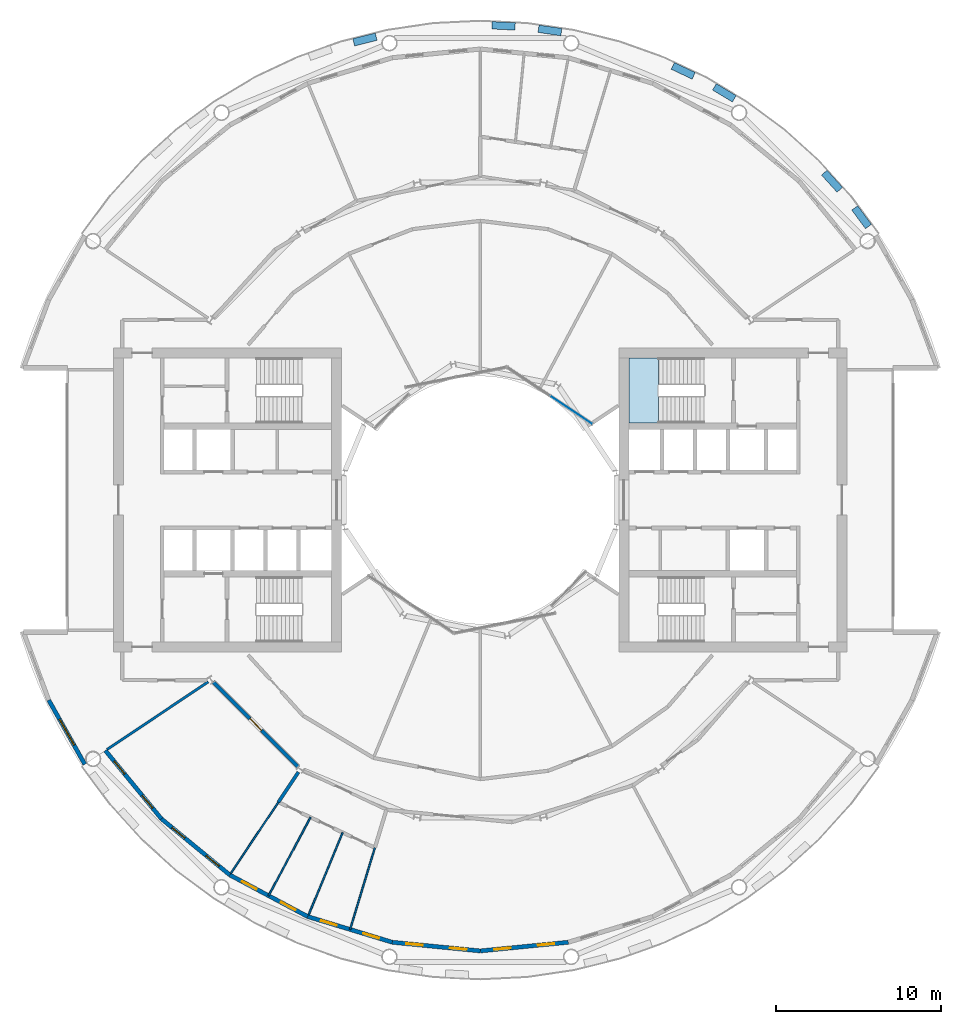
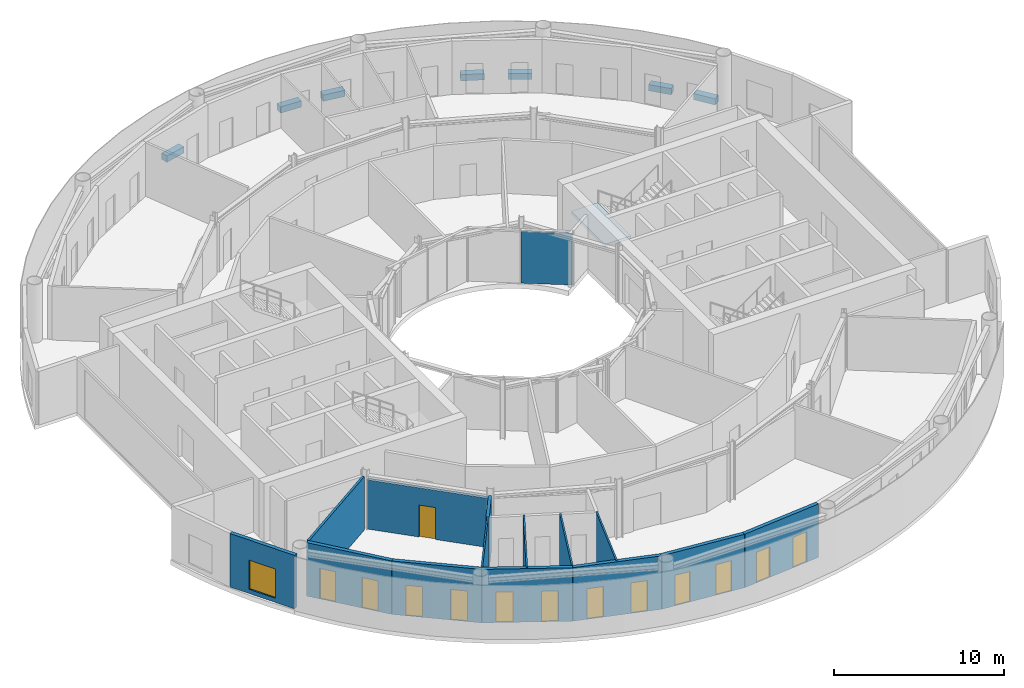
# One storey, part 12 of 21: 14 walls, 13 doors, 8 slabs, 1 plate, 1 window, 14 openings, 2 elements without a shape of their own.
"""IFC4 building model written with IfcOpenShell, lengths in metres."""

from ifc_helpers import new_model, si_unit, direction, frame, frame_2d, origin, origin_2d, place, context, subcontext, project, spatial, polyline, rectangle, outline, extrude, material, layer, layer_set, type_object, element, fill, aggregate, save


model = new_model("IFC4")

# Units and contexts
model_context = context("Model", 3, precision=1e-05, world=origin(), true_north=direction((0.0, 1.0)))
body_context = subcontext(model_context, "Body", "Model", "MODEL_VIEW")
ifc_project = project(units=[si_unit("LENGTHUNIT", "METRE"), si_unit("AREAUNIT", "SQUARE_METRE"), si_unit("VOLUMEUNIT", "CUBIC_METRE"), si_unit("PLANEANGLEUNIT", "RADIAN"), si_unit("MASSUNIT", "GRAM", prefix="KILO")], contexts=[model_context])

# Site, building, storey
site_placement = place(None, origin())
site = spatial("IfcSite", under=ifc_project, at=site_placement, CompositionType="ELEMENT")
building_placement = place(site_placement, origin())
building = spatial("IfcBuilding", under=site, at=building_placement, Name="Maasbend Ring Residences", CompositionType="ELEMENT")
storey_placement = place(building_placement, frame((0.0, 0.0, 107.449951171875)))
storey = spatial("IfcBuildingStorey", under=building, at=storey_placement, Name="L30", CompositionType="ELEMENT", Elevation=107.449951171875)

# Stair, slab
ifc_material_1 = material(Name="Concrete C40/50", Category="concrete")
stair_type = type_object("IfcStairType", Name="CORE STAIR 24 RISERS", PredefinedType="HALF_TURN_STAIR", material=ifc_material_1)
stair_placement = place(storey_placement, origin())
stair = element("IfcStair", 1, at=stair_placement, inside=storey, type_object=stair_type, Name="L30 Exit stair ST-E1", PredefinedType="HALF_TURN_STAIR")
ifc_material_2 = material(Name="Concrete C40/50", Category="concrete")
ifc_layer_1 = layer(ifc_material_2, 0.199951171875)
ifc_layer_set_1 = layer_set([ifc_layer_1], Name="Concrete C40/50")
slab_type_1 = type_object("IfcSlabType", Name="CORE STAIR LANDING 200", PredefinedType="LANDING", material=ifc_layer_set_1)
slab_1_placement = place(storey_placement, frame((0.0, 0.0, 1.900146484375)))
slab_1 = element("IfcSlab", 2, at=slab_1_placement, type_object=slab_type_1, Name="ST-E1 landing 1", PredefinedType="LANDING", context=body_context, shape_type="SweptSolid", body=[
    extrude(outline(polyline([(10.800048828125, 8.60009765625), (9.0, 8.60009765625), (9.0, 4.64990234375), (10.800048828125, 4.64990234375), (10.800048828125, 8.60009765625)])), origin(), (0.0, 0.0, 1.0), 0.199951171875),
])
aggregate(stair, [slab_1])

# Curtain wall, plate
ifc_material_3 = material(Name="Aluminium and clear glass", Category="aluminium")
ifc_layer_2 = layer(ifc_material_3, 0.179931640625)
ifc_layer_set_2 = layer_set([ifc_layer_2], Name="CW-W")
curtain_wall_type = type_object("IfcCurtainWallType", Name="CW-W", PredefinedType="NOTDEFINED", material=ifc_layer_set_2)
curtain_wall_placement = place(storey_placement, origin())
curtain_wall = element("IfcCurtainWall", 3, at=curtain_wall_placement, inside=storey, type_object=curtain_wall_type, Name="Well curtain wall N1", PredefinedType="NOTDEFINED")
ifc_material_4 = material(Name="Glass clear laminated", Category="glass")
ifc_layer_3 = layer(ifc_material_4, 0.031982421875)
ifc_layer_set_3 = layer_set([ifc_layer_3], Name="CWP-W")
plate_type = type_object("IfcPlateType", Name="CWP-W", PredefinedType="CURTAIN_PANEL", material=ifc_layer_set_3)
plate_placement = place(storey_placement, frame((5.51123046875, 5.44580078125, 0.0), z_axis=(0.0, 0.0, 1.0), x_axis=(-0.831469612303, 0.55557023302, 0.0)))
plate = element("IfcPlate", 4, at=plate_placement, type_object=plate_type, Name="Glass panel well face", PredefinedType="CURTAIN_PANEL", context=body_context, shape_type="SweptSolid", body=[
    extrude(rectangle(XDim=3.053955078125, YDim=0.031982421875, at=origin_2d()), origin(), (0.0, 0.0, 1.0), 3.72998046875),
])
aggregate(curtain_wall, [plate])

# Slabs
ifc_material_5 = material(Name="Planting with climbing greenery")
ifc_layer_4 = layer(ifc_material_5, 0.449951171875)
ifc_layer_set_4 = layer_set([ifc_layer_4], Name="PLANTER-LG")
slab_type_2 = type_object("IfcSlabType", Name="PLANTER-LG", PredefinedType="USERDEFINED", material=ifc_layer_set_4)
slab_2_placement = place(storey_placement, frame((0.0, 0.0, -0.030029296875)))
element("IfcSlab", 5, at=slab_2_placement, inside=storey, type_object=slab_type_2, Name="Planter with climbing greenery 1", ObjectType="PLANTER", PredefinedType="USERDEFINED", context=body_context, shape_type="SweptSolid", body=[
    extrude(outline(polyline([(23.681884765625, 16.69189453125), (22.847900390625, 17.81689453125), (22.487060546875, 17.549072265625), (23.321044921875, 16.424072265625), (23.681884765625, 16.69189453125)])), origin(), (0.0, 0.0, 1.0), 0.4501953125),
])
slab_3_placement = place(storey_placement, frame((0.0, 0.0, -0.030029296875)))
element("IfcSlab", 6, at=slab_3_placement, inside=storey, type_object=slab_type_2, Name="Planter with climbing greenery 2", ObjectType="PLANTER", PredefinedType="USERDEFINED", context=body_context, shape_type="SweptSolid", body=[
    extrude(outline(polyline([(21.931884765625, 18.93310546875), (20.991943359375, 19.969970703125), (20.657958984375, 19.66796875), (21.597900390625, 18.631103515625), (21.931884765625, 18.93310546875)])), origin(), (0.0, 0.0, 1.0), 0.4501953125),
])
slab_4_placement = place(storey_placement, frame((0.0, 0.0, -0.030029296875)))
element("IfcSlab", 7, at=slab_4_placement, inside=storey, type_object=slab_type_2, Name="Planter with climbing greenery 3", ObjectType="PLANTER", PredefinedType="USERDEFINED", context=body_context, shape_type="SweptSolid", body=[
    extrude(outline(polyline([(15.490966796875, 24.48388671875), (14.291015625, 25.2041015625), (14.05908203125, 24.818115234375), (15.260009765625, 24.097900390625), (15.490966796875, 24.48388671875)])), origin(), (0.0, 0.0, 1.0), 0.4501953125),
])
slab_5_placement = place(storey_placement, frame((0.0, 0.0, -0.030029296875)))
element("IfcSlab", 8, at=slab_5_placement, inside=storey, type_object=slab_type_2, Name="Planter with climbing greenery 4", ObjectType="PLANTER", PredefinedType="USERDEFINED", context=body_context, shape_type="SweptSolid", body=[
    extrude(outline(polyline([(13.01708984375, 25.885009765625), (11.7509765625, 26.48291015625), (11.55908203125, 26.076904296875), (12.824951171875, 25.47802734375), (13.01708984375, 25.885009765625)])), origin(), (0.0, 0.0, 1.0), 0.4501953125),
])
slab_6_placement = place(storey_placement, frame((0.0, 0.0, -0.030029296875)))
element("IfcSlab", 9, at=slab_6_placement, inside=storey, type_object=slab_type_2, Name="Planter with climbing greenery 5", ObjectType="PLANTER", PredefinedType="USERDEFINED", context=body_context, shape_type="SweptSolid", body=[
    extrude(outline(polyline([(4.94189453125, 28.549072265625), (3.55810546875, 28.75390625), (3.491943359375, 28.30908203125), (4.8759765625, 28.10400390625), (4.94189453125, 28.549072265625)])), origin(), (0.0, 0.0, 1.0), 0.4501953125),
])
slab_7_placement = place(storey_placement, frame((0.0, 0.0, -0.030029296875)))
element("IfcSlab", 10, at=slab_7_placement, inside=storey, type_object=slab_type_2, Name="Planter with climbing greenery 6", ObjectType="PLANTER", PredefinedType="USERDEFINED", context=body_context, shape_type="SweptSolid", body=[
    extrude(outline(polyline([(2.1201171875, 28.89599609375), (0.721923828125, 28.965087890625), (0.699951171875, 28.514892578125), (2.097900390625, 28.446044921875), (2.1201171875, 28.89599609375)])), origin(), (0.0, 0.0, 1.0), 0.4501953125),
])
slab_8_placement = place(storey_placement, frame((0.0, 0.0, -0.030029296875)))
element("IfcSlab", 11, at=slab_8_placement, inside=storey, type_object=slab_type_2, Name="Planter with climbing greenery 7", ObjectType="PLANTER", PredefinedType="USERDEFINED", context=body_context, shape_type="SweptSolid", body=[
    extrude(outline(polyline([(-6.35888671875, 28.26708984375), (-7.717041015625, 27.927001953125), (-7.60791015625, 27.489990234375), (-6.25, 27.8310546875), (-6.35888671875, 28.26708984375)])), origin(), (0.0, 0.0, 1.0), 0.4501953125),
])

# Wall, opening, door
ifc_material_6 = material(Name="Concrete C30/37", Category="concrete")
ifc_layer_5 = layer(ifc_material_6, 0.199951171875)
ifc_layer_set_5 = layer_set([ifc_layer_5], Name="Concrete C30/37")
wall_type_1 = type_object("IfcWallType", Name="CORRIDOR WALL 200 CONCRETE", PredefinedType="PARTITIONING", material=ifc_layer_set_5)
wall_1_placement = place(storey_placement, frame((-16.18603515625, -11.0, 0.0), z_axis=(0.0, 0.0, 1.0), x_axis=(0.707106781187, -0.707106781187, 0.0)))
wall_1 = element("IfcWall", 12, at=wall_1_placement, inside=storey, type_object=wall_type_1, Name="U-L30-w008", PredefinedType="PARTITIONING", context=body_context, shape_type="SweptSolid", body=[
    extrude(rectangle(XDim=7.334228515625, YDim=0.199951171875, at=frame_2d((3.6669921875, 0.0))), origin(), (0.0, 0.0, 1.0), 3.5400390625),
])
opening_1_placement = place(wall_1_placement, frame((3.1669921875, 0.0, 0.0)))
opening_1 = element("IfcOpeningElement", 13, at=opening_1_placement, cuts=wall_1, Name="Opening D-3016", PredefinedType="OPENING", context=body_context, shape_type="SweptSolid", body=[
    extrude(rectangle(XDim=1.0, YDim=2.300048828125, at=frame_2d((0.5, 1.14990234375))), frame((0.0, 0.10986328125, 0.0), z_axis=(0.0, -1.0, 0.0), x_axis=(1.0, 0.0, 0.0)), (0.0, 0.0, 1.0), 0.219970703125),
])
ifc_material_7 = material(Name="Timber, painted", Category="wood")
door_type_1 = type_object("IfcDoorType", Name="ROOM DOOR 1000 X 2300", OperationType="NOTDEFINED", PredefinedType="DOOR", material=ifc_material_7)
door_1_placement = place(opening_1_placement, origin())
door_1 = element("IfcDoor", 14, at=door_1_placement, inside=storey, type_object=door_type_1, Name="D-3016", OperationType="SINGLE_SWING_LEFT", OverallHeight=2.300048828125, OverallWidth=1.0, PredefinedType="DOOR", context=body_context, shape_type="SweptSolid", body=[
    extrude(rectangle(XDim=1.0, YDim=2.300048828125, at=frame_2d((0.5, 1.14990234375))), frame((0.0, 0.02490234375, 0.0), z_axis=(0.0, -1.0, 0.0), x_axis=(1.0, 0.0, 0.0)), (0.0, 0.0, 1.0), 0.050048828125),
])
fill(opening_1, door_1)

# Wall
wall_2_placement = place(storey_placement, frame((-12.221923828125, -18.2919921875, 0.0), z_axis=(0.0, 0.0, 1.0), x_axis=(0.555628995846, 0.831430345233, 0.0)))
element("IfcWall", 15, at=wall_2_placement, inside=storey, type_object=wall_type_1, Name="U-L30-w026", PredefinedType="PARTITIONING", context=body_context, shape_type="SweptSolid", body=[
    extrude(rectangle(XDim=2.182861328125, YDim=0.199951171875, at=frame_2d((1.09130859375, 0.0))), origin(), (0.0, 0.0, 1.0), 3.85009765625),
])

# Wall, openings, doors
ifc_material_8 = material(Name="Aluminium clad insulated panel", Category="aluminium")
ifc_layer_6 = layer(ifc_material_8, 0.25)
ifc_layer_set_6 = layer_set([ifc_layer_6], Name="EW-GL")
wall_type_2 = type_object("IfcWallType", Name="EW-GL", PredefinedType="SOLIDWALL", material=ifc_layer_set_6)
wall_3_placement = place(storey_placement, frame((-22.698974609375, -15.1669921875, 0.0), z_axis=(0.0, 0.0, 1.0), x_axis=(0.634382322723, -0.773019449054, 0.0)))
wall_3 = element("IfcWall", 16, at=wall_3_placement, inside=storey, type_object=wall_type_2, Name="External wall S01", PredefinedType="SOLIDWALL", context=body_context, shape_type="SweptSolid", body=[
    extrude(rectangle(XDim=5.351806640625, YDim=0.25, at=frame_2d((2.67578125, 0.0))), origin(), (0.0, 0.0, 1.0), 3.85009765625),
])
opening_2_placement = place(wall_3_placement, frame((0.841064453125, 0.0, 0.0)))
opening_2 = element("IfcOpeningElement", 17, at=opening_2_placement, cuts=wall_3, Name="Opening D-LG", PredefinedType="OPENING", context=body_context, shape_type="SweptSolid", body=[
    extrude(rectangle(XDim=1.0, YDim=2.199951171875, at=frame_2d((0.5, 1.10009765625))), frame((0.0, 0.135009765625, 0.0), z_axis=(0.0, -1.0, 0.0), x_axis=(1.0, 0.0, 0.0)), (0.0, 0.0, 1.0), 0.27001953125),
])
opening_3_placement = place(wall_3_placement, frame((3.510498046875, 0.0, 0.0)))
opening_3 = element("IfcOpeningElement", 18, at=opening_3_placement, cuts=wall_3, Name="Opening D-LG", PredefinedType="OPENING", context=body_context, shape_type="SweptSolid", body=[
    extrude(rectangle(XDim=1.0, YDim=2.199951171875, at=frame_2d((0.5, 1.10009765625))), frame((0.0, 0.135009765625, 0.0), z_axis=(0.0, -1.0, 0.0), x_axis=(1.0, 0.0, 0.0)), (0.0, 0.0, 1.0), 0.27001953125),
])
ifc_material_9 = material(Name="Aluminium and clear glass", Category="aluminium")
door_type_2 = type_object("IfcDoorType", Name="D-LG", OperationType="SINGLE_SWING_LEFT", PredefinedType="DOOR", material=ifc_material_9)
door_2_placement = place(opening_2_placement, origin())
door_2 = element("IfcDoor", 19, at=door_2_placement, inside=storey, type_object=door_type_2, Name="Loggia door S01", OperationType="SINGLE_SWING_LEFT", OverallHeight=2.199951171875, OverallWidth=1.0, PredefinedType="DOOR", context=body_context, shape_type="SweptSolid", body=[
    extrude(rectangle(XDim=1.0, YDim=2.199951171875, at=frame_2d((0.5, 1.10009765625))), frame((0.0, 0.02490234375, 0.0), z_axis=(0.0, -1.0, 0.0), x_axis=(1.0, 0.0, 0.0)), (0.0, 0.0, 1.0), 0.050048828125),
])
fill(opening_2, door_2)
door_3_placement = place(opening_3_placement, origin())
door_3 = element("IfcDoor", 20, at=door_3_placement, inside=storey, type_object=door_type_2, Name="Loggia door S02", OperationType="SINGLE_SWING_LEFT", OverallHeight=2.199951171875, OverallWidth=1.0, PredefinedType="DOOR", context=body_context, shape_type="SweptSolid", body=[
    extrude(rectangle(XDim=1.0, YDim=2.199951171875, at=frame_2d((0.5, 1.10009765625))), frame((0.0, 0.02490234375, 0.0), z_axis=(0.0, -1.0, 0.0), x_axis=(1.0, 0.0, 0.0)), (0.0, 0.0, 1.0), 0.050048828125),
])
fill(opening_3, door_3)

wall_4_placement = place(storey_placement, frame((-19.303955078125, -19.303955078125, 0.0), z_axis=(0.0, 0.0, 1.0), x_axis=(0.773019449054, -0.634382322723, 0.0)))
wall_4 = element("IfcWall", 21, at=wall_4_placement, inside=storey, type_object=wall_type_2, Name="External wall S02", PredefinedType="SOLIDWALL", context=body_context, shape_type="SweptSolid", body=[
    extrude(rectangle(XDim=5.351806640625, YDim=0.25, at=frame_2d((2.67578125, 0.0))), origin(), (0.0, 0.0, 1.0), 3.85009765625),
])
opening_4_placement = place(wall_4_placement, frame((0.841064453125, 0.0, 0.0)))
opening_4 = element("IfcOpeningElement", 22, at=opening_4_placement, cuts=wall_4, Name="Opening D-LG", PredefinedType="OPENING", context=body_context, shape_type="SweptSolid", body=[
    extrude(rectangle(XDim=1.0, YDim=2.199951171875, at=frame_2d((0.5, 1.10009765625))), frame((0.0, 0.135009765625, 0.0), z_axis=(0.0, -1.0, 0.0), x_axis=(1.0, 0.0, 0.0)), (0.0, 0.0, 1.0), 0.27001953125),
])
opening_5_placement = place(wall_4_placement, frame((3.510498046875, 0.0, 0.0)))
opening_5 = element("IfcOpeningElement", 23, at=opening_5_placement, cuts=wall_4, Name="Opening D-LG", PredefinedType="OPENING", context=body_context, shape_type="SweptSolid", body=[
    extrude(rectangle(XDim=1.0, YDim=2.199951171875, at=frame_2d((0.5, 1.10009765625))), frame((0.0, 0.135009765625, 0.0), z_axis=(0.0, -1.0, 0.0), x_axis=(1.0, 0.0, 0.0)), (0.0, 0.0, 1.0), 0.27001953125),
])
door_4_placement = place(opening_4_placement, origin())
door_4 = element("IfcDoor", 24, at=door_4_placement, inside=storey, type_object=door_type_2, Name="Loggia door S03", OperationType="SINGLE_SWING_LEFT", OverallHeight=2.199951171875, OverallWidth=1.0, PredefinedType="DOOR", context=body_context, shape_type="SweptSolid", body=[
    extrude(rectangle(XDim=1.0, YDim=2.199951171875, at=frame_2d((0.5, 1.10009765625))), frame((0.0, 0.02490234375, 0.0), z_axis=(0.0, -1.0, 0.0), x_axis=(1.0, 0.0, 0.0)), (0.0, 0.0, 1.0), 0.050048828125),
])
fill(opening_4, door_4)
door_5_placement = place(opening_5_placement, origin())
door_5 = element("IfcDoor", 25, at=door_5_placement, inside=storey, type_object=door_type_2, Name="Loggia door S04", OperationType="SINGLE_SWING_LEFT", OverallHeight=2.199951171875, OverallWidth=1.0, PredefinedType="DOOR", context=body_context, shape_type="SweptSolid", body=[
    extrude(rectangle(XDim=1.0, YDim=2.199951171875, at=frame_2d((0.5, 1.10009765625))), frame((0.0, 0.02490234375, 0.0), z_axis=(0.0, -1.0, 0.0), x_axis=(1.0, 0.0, 0.0)), (0.0, 0.0, 1.0), 0.050048828125),
])
fill(opening_5, door_5)

wall_5_placement = place(storey_placement, frame((-15.1669921875, -22.698974609375, 0.0), z_axis=(0.0, 0.0, 1.0), x_axis=(0.881915646801, -0.471407246368, 0.0)))
wall_5 = element("IfcWall", 26, at=wall_5_placement, inside=storey, type_object=wall_type_2, Name="External wall S03", PredefinedType="SOLIDWALL", context=body_context, shape_type="SweptSolid", body=[
    extrude(rectangle(XDim=5.35205078125, YDim=0.25, at=frame_2d((2.676025390625, 0.0))), origin(), (0.0, 0.0, 1.0), 3.85009765625),
])
opening_6_placement = place(wall_5_placement, frame((0.841064453125, 0.0, 0.0)))
opening_6 = element("IfcOpeningElement", 27, at=opening_6_placement, cuts=wall_5, Name="Opening D-LG", PredefinedType="OPENING", context=body_context, shape_type="SweptSolid", body=[
    extrude(rectangle(XDim=1.0, YDim=2.199951171875, at=frame_2d((0.5, 1.10009765625))), frame((0.0, 0.135009765625, 0.0), z_axis=(0.0, -1.0, 0.0), x_axis=(1.0, 0.0, 0.0)), (0.0, 0.0, 1.0), 0.27001953125),
])
opening_7_placement = place(wall_5_placement, frame((3.510498046875, 0.0, 0.0)))
opening_7 = element("IfcOpeningElement", 28, at=opening_7_placement, cuts=wall_5, Name="Opening D-LG", PredefinedType="OPENING", context=body_context, shape_type="SweptSolid", body=[
    extrude(rectangle(XDim=1.0, YDim=2.199951171875, at=frame_2d((0.5, 1.10009765625))), frame((0.0, 0.135009765625, 0.0), z_axis=(0.0, -1.0, 0.0), x_axis=(1.0, 0.0, 0.0)), (0.0, 0.0, 1.0), 0.27001953125),
])
door_6_placement = place(opening_6_placement, origin())
door_6 = element("IfcDoor", 29, at=door_6_placement, inside=storey, type_object=door_type_2, Name="Loggia door S05", OperationType="SINGLE_SWING_LEFT", OverallHeight=2.199951171875, OverallWidth=1.0, PredefinedType="DOOR", context=body_context, shape_type="SweptSolid", body=[
    extrude(rectangle(XDim=1.0, YDim=2.199951171875, at=frame_2d((0.5, 1.10009765625))), frame((0.0, 0.02490234375, 0.0), z_axis=(0.0, -1.0, 0.0), x_axis=(1.0, 0.0, 0.0)), (0.0, 0.0, 1.0), 0.050048828125),
])
fill(opening_6, door_6)
door_7_placement = place(opening_7_placement, origin())
door_7 = element("IfcDoor", 30, at=door_7_placement, inside=storey, type_object=door_type_2, Name="Loggia door S06", OperationType="SINGLE_SWING_LEFT", OverallHeight=2.199951171875, OverallWidth=1.0, PredefinedType="DOOR", context=body_context, shape_type="SweptSolid", body=[
    extrude(rectangle(XDim=1.0, YDim=2.199951171875, at=frame_2d((0.5, 1.10009765625))), frame((0.0, 0.02490234375, 0.0), z_axis=(0.0, -1.0, 0.0), x_axis=(1.0, 0.0, 0.0)), (0.0, 0.0, 1.0), 0.050048828125),
])
fill(opening_7, door_7)

wall_6_placement = place(storey_placement, frame((-10.447021484375, -25.221923828125, 0.0), z_axis=(0.0, 0.0, 1.0), x_axis=(0.956965678721, -0.290201119486, 0.0)))
wall_6 = element("IfcWall", 31, at=wall_6_placement, inside=storey, type_object=wall_type_2, Name="External wall S04", PredefinedType="SOLIDWALL", context=body_context, shape_type="SweptSolid", body=[
    extrude(rectangle(XDim=5.351318359375, YDim=0.25, at=frame_2d((2.67578125, 0.0))), origin(), (0.0, 0.0, 1.0), 3.85009765625),
])
opening_8_placement = place(wall_6_placement, frame((0.841064453125, 0.0, 0.0)))
opening_8 = element("IfcOpeningElement", 32, at=opening_8_placement, cuts=wall_6, Name="Opening D-LG", PredefinedType="OPENING", context=body_context, shape_type="SweptSolid", body=[
    extrude(rectangle(XDim=1.0, YDim=2.199951171875, at=frame_2d((0.5, 1.10009765625))), frame((0.0, 0.135009765625, 0.0), z_axis=(0.0, -1.0, 0.0), x_axis=(1.0, 0.0, 0.0)), (0.0, 0.0, 1.0), 0.27001953125),
])
opening_9_placement = place(wall_6_placement, frame((3.510498046875, 0.0, 0.0)))
opening_9 = element("IfcOpeningElement", 33, at=opening_9_placement, cuts=wall_6, Name="Opening D-LG", PredefinedType="OPENING", context=body_context, shape_type="SweptSolid", body=[
    extrude(rectangle(XDim=1.0, YDim=2.199951171875, at=frame_2d((0.5, 1.10009765625))), frame((0.0, 0.135009765625, 0.0), z_axis=(0.0, -1.0, 0.0), x_axis=(1.0, 0.0, 0.0)), (0.0, 0.0, 1.0), 0.27001953125),
])
door_8_placement = place(opening_8_placement, origin())
door_8 = element("IfcDoor", 34, at=door_8_placement, inside=storey, type_object=door_type_2, Name="Loggia door S07", OperationType="SINGLE_SWING_LEFT", OverallHeight=2.199951171875, OverallWidth=1.0, PredefinedType="DOOR", context=body_context, shape_type="SweptSolid", body=[
    extrude(rectangle(XDim=1.0, YDim=2.199951171875, at=frame_2d((0.5, 1.10009765625))), frame((0.0, 0.02490234375, 0.0), z_axis=(0.0, -1.0, 0.0), x_axis=(1.0, 0.0, 0.0)), (0.0, 0.0, 1.0), 0.050048828125),
])
fill(opening_8, door_8)
door_9_placement = place(opening_9_placement, origin())
door_9 = element("IfcDoor", 35, at=door_9_placement, inside=storey, type_object=door_type_2, Name="Loggia door S08", OperationType="SINGLE_SWING_LEFT", OverallHeight=2.199951171875, OverallWidth=1.0, PredefinedType="DOOR", context=body_context, shape_type="SweptSolid", body=[
    extrude(rectangle(XDim=1.0, YDim=2.199951171875, at=frame_2d((0.5, 1.10009765625))), frame((0.0, 0.02490234375, 0.0), z_axis=(0.0, -1.0, 0.0), x_axis=(1.0, 0.0, 0.0)), (0.0, 0.0, 1.0), 0.050048828125),
])
fill(opening_9, door_9)

wall_7_placement = place(storey_placement, frame((-5.325927734375, -26.77490234375, 0.0), z_axis=(0.0, 0.0, 1.0), x_axis=(0.995173996315, -0.098126026407, 0.0)))
wall_7 = element("IfcWall", 36, at=wall_7_placement, inside=storey, type_object=wall_type_2, Name="External wall S05", PredefinedType="SOLIDWALL", context=body_context, shape_type="SweptSolid", body=[
    extrude(rectangle(XDim=5.351806640625, YDim=0.25, at=frame_2d((2.67578125, 0.0))), origin(), (0.0, 0.0, 1.0), 3.85009765625),
])
opening_10_placement = place(wall_7_placement, frame((0.841064453125, 0.0, 0.0)))
opening_10 = element("IfcOpeningElement", 37, at=opening_10_placement, cuts=wall_7, Name="Opening D-LG", PredefinedType="OPENING", context=body_context, shape_type="SweptSolid", body=[
    extrude(rectangle(XDim=1.0, YDim=2.199951171875, at=frame_2d((0.5, 1.10009765625))), frame((0.0, 0.135009765625, 0.0), z_axis=(0.0, -1.0, 0.0), x_axis=(1.0, 0.0, 0.0)), (0.0, 0.0, 1.0), 0.27001953125),
])
opening_11_placement = place(wall_7_placement, frame((3.510498046875, 0.0, 0.0)))
opening_11 = element("IfcOpeningElement", 38, at=opening_11_placement, cuts=wall_7, Name="Opening D-LG", PredefinedType="OPENING", context=body_context, shape_type="SweptSolid", body=[
    extrude(rectangle(XDim=1.0, YDim=2.199951171875, at=frame_2d((0.5, 1.10009765625))), frame((0.0, 0.135009765625, 0.0), z_axis=(0.0, -1.0, 0.0), x_axis=(1.0, 0.0, 0.0)), (0.0, 0.0, 1.0), 0.27001953125),
])
door_10_placement = place(opening_10_placement, origin())
door_10 = element("IfcDoor", 39, at=door_10_placement, inside=storey, type_object=door_type_2, Name="Loggia door S09", OperationType="SINGLE_SWING_LEFT", OverallHeight=2.199951171875, OverallWidth=1.0, PredefinedType="DOOR", context=body_context, shape_type="SweptSolid", body=[
    extrude(rectangle(XDim=1.0, YDim=2.199951171875, at=frame_2d((0.5, 1.10009765625))), frame((0.0, 0.02490234375, 0.0), z_axis=(0.0, -1.0, 0.0), x_axis=(1.0, 0.0, 0.0)), (0.0, 0.0, 1.0), 0.050048828125),
])
fill(opening_10, door_10)
door_11_placement = place(opening_11_placement, origin())
door_11 = element("IfcDoor", 40, at=door_11_placement, inside=storey, type_object=door_type_2, Name="Loggia door S10", OperationType="SINGLE_SWING_LEFT", OverallHeight=2.199951171875, OverallWidth=1.0, PredefinedType="DOOR", context=body_context, shape_type="SweptSolid", body=[
    extrude(rectangle(XDim=1.0, YDim=2.199951171875, at=frame_2d((0.5, 1.10009765625))), frame((0.0, 0.02490234375, 0.0), z_axis=(0.0, -1.0, 0.0), x_axis=(1.0, 0.0, 0.0)), (0.0, 0.0, 1.0), 0.050048828125),
])
fill(opening_11, door_11)

wall_8_placement = place(storey_placement, frame((0.0, -27.300048828125, 0.0), z_axis=(0.0, 0.0, 1.0), x_axis=(0.995173996315, 0.098126026407, 0.0)))
wall_8 = element("IfcWall", 41, at=wall_8_placement, inside=storey, type_object=wall_type_2, Name="External wall S06", PredefinedType="SOLIDWALL", context=body_context, shape_type="SweptSolid", body=[
    extrude(rectangle(XDim=5.351806640625, YDim=0.25, at=frame_2d((2.67578125, 0.0))), origin(), (0.0, 0.0, 1.0), 3.85009765625),
])
opening_12_placement = place(wall_8_placement, frame((0.841064453125, 0.0, 0.0)))
opening_12 = element("IfcOpeningElement", 42, at=opening_12_placement, cuts=wall_8, Name="Opening D-LG", PredefinedType="OPENING", context=body_context, shape_type="SweptSolid", body=[
    extrude(rectangle(XDim=1.0, YDim=2.199951171875, at=frame_2d((0.5, 1.10009765625))), frame((0.0, 0.135009765625, 0.0), z_axis=(0.0, -1.0, 0.0), x_axis=(1.0, 0.0, 0.0)), (0.0, 0.0, 1.0), 0.27001953125),
])
opening_13_placement = place(wall_8_placement, frame((3.510498046875, 0.0, 0.0)))
opening_13 = element("IfcOpeningElement", 43, at=opening_13_placement, cuts=wall_8, Name="Opening D-LG", PredefinedType="OPENING", context=body_context, shape_type="SweptSolid", body=[
    extrude(rectangle(XDim=1.0, YDim=2.199951171875, at=frame_2d((0.5, 1.10009765625))), frame((0.0, 0.135009765625, 0.0), z_axis=(0.0, -1.0, 0.0), x_axis=(1.0, 0.0, 0.0)), (0.0, 0.0, 1.0), 0.27001953125),
])
door_12_placement = place(opening_12_placement, origin())
door_12 = element("IfcDoor", 44, at=door_12_placement, inside=storey, type_object=door_type_2, Name="Loggia door S11", OperationType="SINGLE_SWING_LEFT", OverallHeight=2.199951171875, OverallWidth=1.0, PredefinedType="DOOR", context=body_context, shape_type="SweptSolid", body=[
    extrude(rectangle(XDim=1.0, YDim=2.199951171875, at=frame_2d((0.5, 1.10009765625))), frame((0.0, 0.02490234375, 0.0), z_axis=(0.0, -1.0, 0.0), x_axis=(1.0, 0.0, 0.0)), (0.0, 0.0, 1.0), 0.050048828125),
])
fill(opening_12, door_12)
door_13_placement = place(opening_13_placement, origin())
door_13 = element("IfcDoor", 45, at=door_13_placement, inside=storey, type_object=door_type_2, Name="Loggia door S12", OperationType="SINGLE_SWING_LEFT", OverallHeight=2.199951171875, OverallWidth=1.0, PredefinedType="DOOR", context=body_context, shape_type="SweptSolid", body=[
    extrude(rectangle(XDim=1.0, YDim=2.199951171875, at=frame_2d((0.5, 1.10009765625))), frame((0.0, 0.02490234375, 0.0), z_axis=(0.0, -1.0, 0.0), x_axis=(1.0, 0.0, 0.0)), (0.0, 0.0, 1.0), 0.050048828125),
])
fill(opening_13, door_13)

# Wall, opening, window
ifc_material_10 = material(Name="Aluminium clad insulated panel", Category="aluminium")
ifc_layer_7 = layer(ifc_material_10, 0.25)
ifc_layer_set_7 = layer_set([ifc_layer_7], Name="EW-HORN")
wall_type_3 = type_object("IfcWallType", Name="EW-HORN", PredefinedType="SOLIDWALL", material=ifc_layer_set_7)
wall_9_placement = place(storey_placement, frame((-26.126953125, -12.116943359375, 0.0), z_axis=(0.0, 0.0, 1.0), x_axis=(0.489696356642, -0.871893042919, 0.0)))
wall_9 = element("IfcWall", 46, at=wall_9_placement, inside=storey, type_object=wall_type_3, Name="Horn wall 3.2", PredefinedType="SOLIDWALL", context=body_context, shape_type="SweptSolid", body=[
    extrude(rectangle(XDim=4.45361328125, YDim=0.25, at=frame_2d((2.226806640625, 0.0))), origin(), (0.0, 0.0, 1.0), 3.85009765625),
])
opening_14_placement = place(wall_9_placement, frame((1.32666015625, 0.0, 0.300048828125)))
opening_14 = element("IfcOpeningElement", 47, at=opening_14_placement, cuts=wall_9, Name="Opening W-BX", PredefinedType="OPENING", context=body_context, shape_type="SweptSolid", body=[
    extrude(rectangle(XDim=1.800048828125, YDim=2.10009765625, at=frame_2d((0.89990234375, 1.050048828125))), frame((0.0, 0.135009765625, 0.0), z_axis=(0.0, -1.0, 0.0), x_axis=(1.0, 0.0, 0.0)), (0.0, 0.0, 1.0), 0.27001953125),
])
ifc_material_11 = material(Name="Aluminium and clear glass", Category="aluminium")
window_type = type_object("IfcWindowType", Name="W-BX", PartitioningType="DOUBLE_PANEL_VERTICAL", PredefinedType="WINDOW", material=ifc_material_11)
window_placement = place(opening_14_placement, origin())
window = element("IfcWindow", 48, at=window_placement, inside=storey, type_object=window_type, Name="Horn window 3.2", OverallHeight=2.10009765625, OverallWidth=1.800048828125, PartitioningType="SINGLE_PANEL", PredefinedType="WINDOW", context=body_context, shape_type="SweptSolid", body=[
    extrude(rectangle(XDim=1.800048828125, YDim=2.10009765625, at=frame_2d((0.89990234375, 1.050048828125))), frame((0.0, 0.030029296875, 0.0), z_axis=(0.0, -1.0, 0.0), x_axis=(1.0, 0.0, 0.0)), (0.0, 0.0, 1.0), 0.06005859375),
])
fill(opening_14, window)

# Walls
ifc_material_12 = material(Name="Gypsum board on steel studs", Category="steel")
ifc_layer_8 = layer(ifc_material_12, 0.10009765625)
ifc_layer_set_8 = layer_set([ifc_layer_8], Name="PARTITION 100 GYPSUM")
wall_type_4 = type_object("IfcWallType", Name="PARTITION 100 GYPSUM", PredefinedType="PARTITIONING", material=ifc_layer_set_8)
wall_10_placement = place(storey_placement, frame((-15.097900390625, -22.594970703125, 0.0), z_axis=(0.0, 0.0, 1.0), x_axis=(0.555679526155, 0.831396574573, 0.0)))
element("IfcWall", 49, at=wall_10_placement, inside=storey, type_object=wall_type_4, Name="U-L30-w024", PredefinedType="PARTITIONING", context=body_context, shape_type="SweptSolid", body=[
    extrude(rectangle(XDim=5.175537109375, YDim=0.10009765625, at=frame_2d((2.587890625, 0.0))), origin(), (0.0, 0.0, 1.0), 3.85009765625),
])
wall_11_placement = place(storey_placement, frame((-12.818115234375, -23.9619140625, 0.0), z_axis=(0.0, 0.0, 1.0), x_axis=(0.471698142177, 0.881760093601, 0.0)))
element("IfcWall", 50, at=wall_11_placement, inside=storey, type_object=wall_type_4, Name="U-L30-w025", PredefinedType="PARTITIONING", context=body_context, shape_type="SweptSolid", body=[
    extrude(rectangle(XDim=5.386962890625, YDim=0.10009765625, at=frame_2d((2.693359375, 0.0))), origin(), (0.0, 0.0, 1.0), 3.85009765625),
])
wall_12_placement = place(storey_placement, frame((-10.39111328125, -25.110107421875, 0.0), z_axis=(0.0, 0.0, 1.0), x_axis=(0.38229040446, 0.924042232075, 0.0)))
element("IfcWall", 51, at=wall_12_placement, inside=storey, type_object=wall_type_4, Name="U-L30-w028", PredefinedType="PARTITIONING", context=body_context, shape_type="SweptSolid", body=[
    extrude(rectangle(XDim=5.38623046875, YDim=0.10009765625, at=frame_2d((2.693115234375, 0.0))), origin(), (0.0, 0.0, 1.0), 3.85009765625),
])
wall_13_placement = place(storey_placement, frame((-7.883056640625, -26.007080078125, 0.0), z_axis=(0.0, 0.0, 1.0), x_axis=(0.290185435468, 0.95697043478, 0.0)))
element("IfcWall", 52, at=wall_13_placement, inside=storey, type_object=wall_type_4, Name="U-L30-w030", PredefinedType="PARTITIONING", context=body_context, shape_type="SweptSolid", body=[
    extrude(rectangle(XDim=5.17578125, YDim=0.10009765625, at=frame_2d((2.587890625, 0.0))), origin(), (0.0, 0.0, 1.0), 3.85009765625),
])
ifc_material_13 = material(Name="Gypsum board on steel studs", Category="steel")
ifc_layer_9 = layer(ifc_material_13, 0.14990234375)
ifc_layer_set_9 = layer_set([ifc_layer_9], Name="PARTITION 150 GYPSUM")
wall_type_5 = type_object("IfcWallType", Name="PARTITION 150 GYPSUM", PredefinedType="PARTITIONING", material=ifc_layer_set_9)
wall_14_placement = place(storey_placement, frame((-22.593017578125, -15.10107421875, 0.0), z_axis=(0.0, 0.0, 1.0), x_axis=(0.83143223768, 0.555626164023, 0.0)))
element("IfcWall", 53, at=wall_14_placement, inside=storey, type_object=wall_type_5, Name="U-L30-w023", PredefinedType="PARTITIONING", context=body_context, shape_type="SweptSolid", body=[
    extrude(rectangle(XDim=7.359375, YDim=0.14990234375, at=frame_2d((3.6796875, 0.0))), origin(), (0.0, 0.0, 1.0), 3.85009765625),
])

save(model, "model.ifc")
